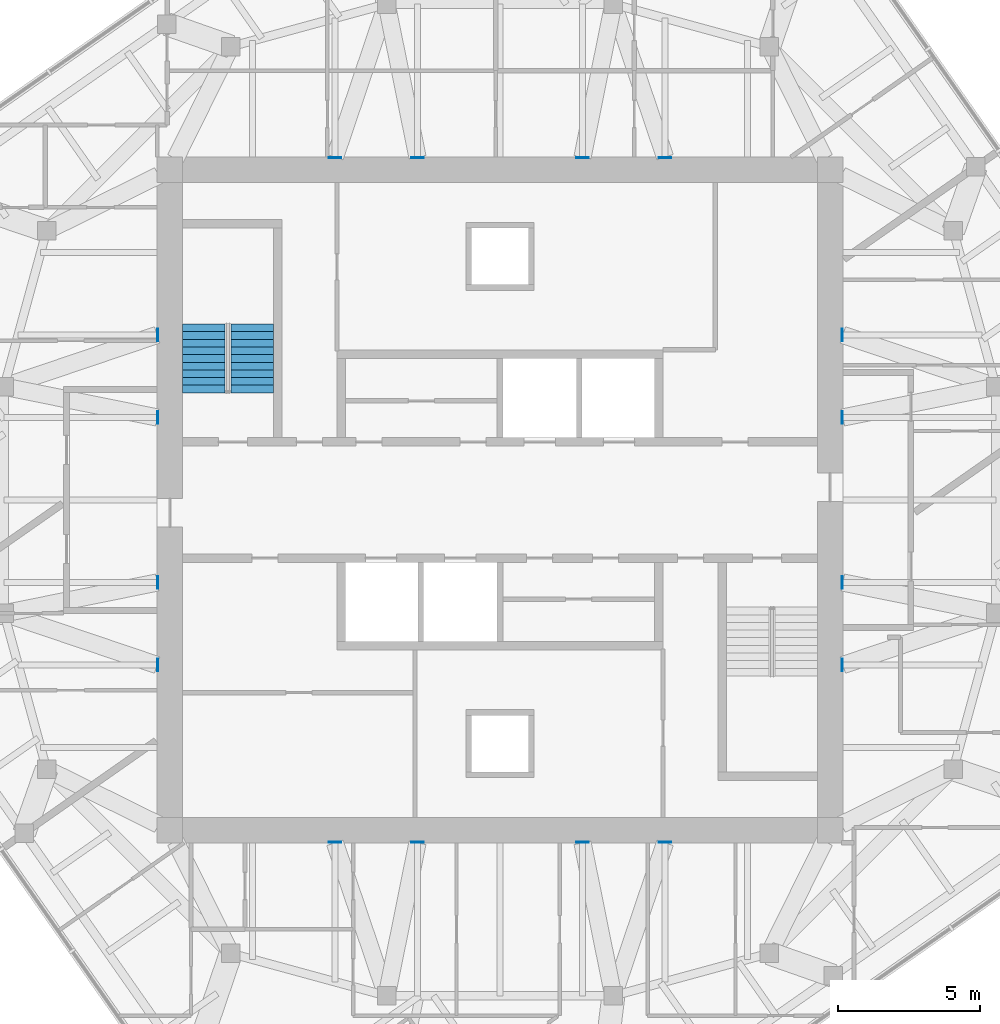
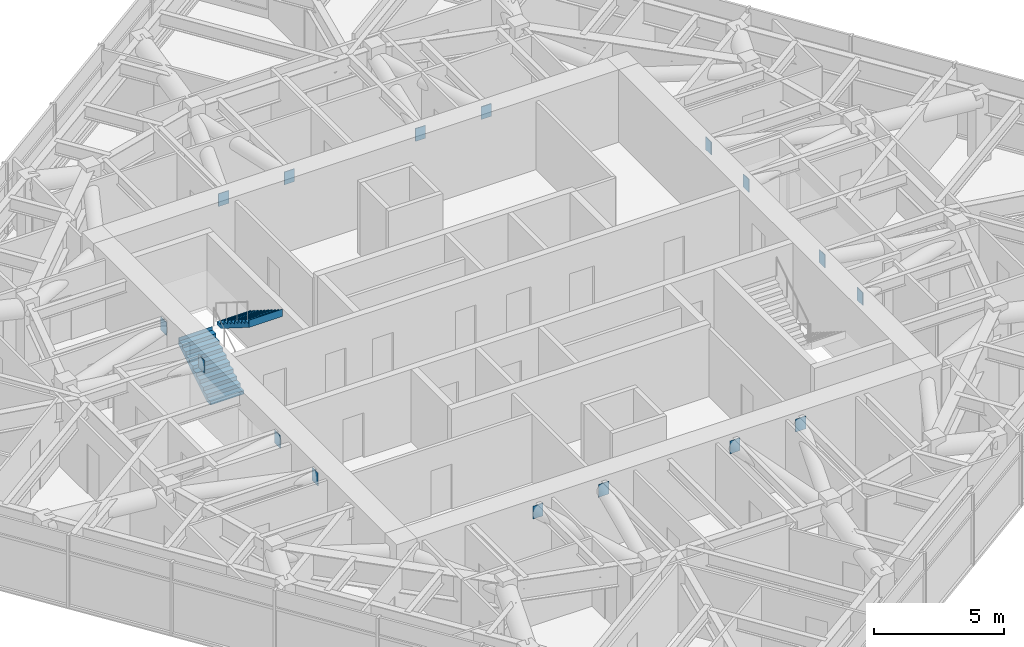
# One storey, part 14 of 15: 16 discrete accessories, 2 stair flights, 1 element without a shape of its own.
"""IFC4 building model written with IfcOpenShell, lengths in metres."""

import ifcopenshell
import ifcopenshell.guid

model = None  # the IFC model being written
_history = None  # IfcOwnerHistory: only IFC2X3 demands one
_inside = {}  # id of a spatial element -> (the spatial element, [elements in it])
_under = {}  # id of a project, library or spatial element -> (it, [spatial elements below it])
_declared = {}  # id of a project -> (the project, [libraries it declares])
_typed = {}  # id of a type object -> (the type object, [elements of that type])
_made_of = {}  # id of a material, layer set ... -> (it, [elements and type objects made of it])


def new_model(schema):
    """Start an empty IFC model of exactly this schema.

    Asked for "IFC4X3", IfcOpenShell would pick the latest addendum, in which some entities
    have other attributes; the version numbers below select the first issue.
    IFC2X3 requires an IfcOwnerHistory on every rooted entity: one is made here for all.
    """
    global model, _history
    if schema == "IFC4X3":
        model = ifcopenshell.file(schema_version=(4, 3, 0, 0))
    else:
        model = ifcopenshell.file(schema=schema)
    _inside.clear()
    _under.clear()
    _declared.clear()
    _typed.clear()
    _made_of.clear()
    _history = None
    if model.schema == "IFC2X3":
        org = make("IfcOrganization", Name="unknown")
        user = make(
            "IfcPersonAndOrganization",
            ThePerson=make("IfcPerson", FamilyName="unknown"),
            TheOrganization=org,
        )
        app = make(
            "IfcApplication",
            ApplicationDeveloper=org,
            Version="unknown",
            ApplicationFullName="unknown",
            ApplicationIdentifier="unknown",
        )
        _history = make(
            "IfcOwnerHistory",
            OwningUser=user,
            OwningApplication=app,
            ChangeAction="ADDED",
            CreationDate=0,
        )
    return model


def make(cls, **values):
    """One entity of the class cls with the attributes given. An attribute that is None is left unset."""
    return model.create_entity(
        cls, **{name: value for name, value in values.items() if value is not None}
    )


def rooted(cls, **values):
    """An entity with a GlobalId (a new one), such as an element, a storey or a relation."""
    return make(cls, GlobalId=ifcopenshell.guid.new(), OwnerHistory=_history, **values)


def si_unit(unit_type, name, prefix=None):
    """IfcSIUnit, for example si_unit("LENGTHUNIT", "METRE", prefix="MILLI")."""
    return make("IfcSIUnit", UnitType=unit_type, Prefix=prefix, Name=name)


def assignment(units):
    """IfcUnitAssignment: the units of a project."""
    return None if units is None else make("IfcUnitAssignment", Units=units)


def point(xyz):
    """IfcCartesianPoint."""
    return None if xyz is None else make("IfcCartesianPoint", Coordinates=xyz)


def direction(xyz):
    """IfcDirection."""
    return None if xyz is None else make("IfcDirection", DirectionRatios=xyz)


def frame(location, z_axis=None, x_axis=None):
    """IfcAxis2Placement3D, a coordinate frame: its origin and axes. An axis left out is left unset."""
    return make(
        "IfcAxis2Placement3D",
        Location=point(location),
        Axis=direction(z_axis),
        RefDirection=direction(x_axis),
    )


def frame_2d(location, x_axis=None):
    """IfcAxis2Placement2D, a coordinate frame in the plane: its origin and x axis."""
    return make(
        "IfcAxis2Placement2D", Location=point(location), RefDirection=direction(x_axis)
    )


def origin():
    """The frame at (0, 0, 0) with its axes left unset."""
    return frame((0.0, 0.0, 0.0))


def origin_2d():
    """The frame at (0, 0) in the plane with its x axis left unset."""
    return frame_2d((0.0, 0.0))


def place(relative_to, where):
    """IfcLocalPlacement: puts the frame where relative to a parent placement (None: the world)."""
    return make(
        "IfcLocalPlacement", PlacementRelTo=relative_to, RelativePlacement=where
    )


def context(
    kind, dimensions, precision=None, world=None, true_north=None, identifier=None
):
    """IfcGeometricRepresentationContext, for example the 3D "Model" context."""
    return make(
        "IfcGeometricRepresentationContext",
        ContextIdentifier=identifier,
        ContextType=kind,
        CoordinateSpaceDimension=dimensions,
        Precision=precision,
        WorldCoordinateSystem=world,
        TrueNorth=true_north,
    )


def subcontext(parent, identifier, kind, view, scale=None):
    """IfcGeometricRepresentationSubContext, for example "Body" below "Model"."""
    return make(
        "IfcGeometricRepresentationSubContext",
        ContextIdentifier=identifier,
        ContextType=kind,
        ParentContext=parent,
        TargetScale=scale,
        TargetView=view,
    )


def project(units=None, contexts=None):
    """IfcProject with its units and contexts."""
    return rooted(
        "IfcProject",
        Name="project",
        RepresentationContexts=contexts,
        UnitsInContext=assignment(units),
    )


def spatial(cls, under=None, at=None, **own):
    """A site, building, storey or space (cls), placed at a placement, below another one or the project."""
    s = rooted(cls, ObjectPlacement=at, **own)
    if under is not None:
        _under.setdefault(under.id(), (under, []))[1].append(s)
    return s


def polyline(points):
    """IfcPolyline through the points."""
    return make("IfcPolyline", Points=[point(p) for p in points])


def profile(cls, at=None, kind="AREA", **sizes):
    """A parametric profile (cls). Its sizes go by their IFC names, for example OverallWidth=200.0."""
    return make(cls, ProfileType=kind, Position=at, **sizes)


def rectangle(**sizes):
    """IfcRectangleProfileDef."""
    return profile("IfcRectangleProfileDef", **sizes)


def outline(outer, holes=None, kind="AREA"):
    """IfcArbitraryClosedProfileDef: a profile drawn as a closed curve; with holes, ...WithVoids."""
    if holes is None:
        return make("IfcArbitraryClosedProfileDef", ProfileType=kind, OuterCurve=outer)
    return make(
        "IfcArbitraryProfileDefWithVoids",
        ProfileType=kind,
        OuterCurve=outer,
        InnerCurves=holes,
    )


def extrude(swept, where, along, depth):
    """IfcExtrudedAreaSolid: the profile swept, set in the frame where, extruded along a direction by depth."""
    return make(
        "IfcExtrudedAreaSolid",
        SweptArea=swept,
        Position=where,
        ExtrudedDirection=direction(along),
        Depth=depth,
    )


def shape(context_of_items, identifier, shape_type, items):
    """IfcShapeRepresentation: the items that make up one representation, for example the "Body"."""
    return make(
        "IfcShapeRepresentation",
        ContextOfItems=context_of_items,
        RepresentationIdentifier=identifier,
        RepresentationType=shape_type,
        Items=items,
    )


def material(Name=None, Category=None):
    """IfcMaterial."""
    return make("IfcMaterial", Name=Name, Category=Category)


def layer(
    of_material, thickness, ventilated=None, Name=None, Category=None, Priority=None
):
    """IfcMaterialLayer: one layer of a wall or slab, of a material (None: an air gap)."""
    return make(
        "IfcMaterialLayer",
        Material=of_material,
        LayerThickness=thickness,
        IsVentilated=ventilated,
        Name=Name,
        Category=Category,
        Priority=Priority,
    )


def layer_set(layers, Name=None):
    """IfcMaterialLayerSet."""
    return make("IfcMaterialLayerSet", MaterialLayers=layers, LayerSetName=Name)


def made_of(thing, what):
    """Note that an element or type object is made of a material, layer set ...; save() writes the relation."""
    if what is not None:
        _made_of.setdefault(what.id(), (what, []))[1].append(thing)
    return thing


def type_object(cls, material=None, **own):
    """A type object (cls), such as IfcWallType, which elements share."""
    return made_of(rooted(cls, **own), material)


def element(
    cls,
    number,
    at=None,
    inside=None,
    cuts=None,
    type_object=None,
    material=None,
    context=None,
    identifier="Body",
    shape_type=None,
    held_by="IfcProductDefinitionShape",
    body=None,
    shapes=None,
    **own,
):
    """One element of the class cls, such as IfcWall. Its Tag is "e" and its number.

    at: its placement. inside: the storey or other place that contains it. cuts: it is an
    opening in that element (IfcRelVoidsElement). A single representation is given by context,
    identifier, shape_type and body (its items); several are given by shapes. held_by: the class
    of the entity that holds the representations. save() writes the other relations.
    """
    e = rooted(cls, Tag="e%d" % number, ObjectPlacement=at, **own)
    if body is not None:
        shapes = [shape(context, identifier, shape_type, body)]
    if shapes is not None:
        e.Representation = make(held_by, Representations=shapes)
    if inside is not None:
        _inside.setdefault(inside.id(), (inside, []))[1].append(e)
    if cuts is not None:
        rooted(
            "IfcRelVoidsElement", RelatingBuildingElement=cuts, RelatedOpeningElement=e
        )
    if type_object is not None:
        _typed.setdefault(type_object.id(), (type_object, []))[1].append(e)
    return made_of(e, material)


def aggregate(whole, parts):
    """IfcRelAggregates: a whole, such as a stair, and the parts it consists of."""
    return rooted("IfcRelAggregates", RelatingObject=whole, RelatedObjects=parts)


def save(model, path):
    """Write the relations noted so far, then the file.

    IfcRelAggregates (storeys below a building ...), IfcRelContainedInSpatialStructure (elements
    in a storey), IfcRelDefinesByType, IfcRelAssociatesMaterial and IfcRelDeclares: one each for
    every whole, place, type object, material and project.
    """
    for whole, parts in _under.values():
        aggregate(whole, parts)
    for where, things in _inside.values():
        rooted(
            "IfcRelContainedInSpatialStructure",
            RelatedElements=things,
            RelatingStructure=where,
        )
    for kind, things in _typed.values():
        rooted("IfcRelDefinesByType", RelatedObjects=things, RelatingType=kind)
    for what, things in _made_of.values():
        rooted("IfcRelAssociatesMaterial", RelatedObjects=things, RelatingMaterial=what)
    for by, libraries in _declared.values():
        rooted("IfcRelDeclares", RelatingContext=by, RelatedDefinitions=libraries)
    model.write(path)


model = new_model("IFC4")

# Units and contexts
model_context = context("Model", 3, precision=1e-05, world=origin(), true_north=direction((0.0, 1.0)))
body_context = subcontext(model_context, "Body", "Model", "MODEL_VIEW")
ifc_project = project(units=[si_unit("LENGTHUNIT", "METRE"), si_unit("AREAUNIT", "SQUARE_METRE"), si_unit("VOLUMEUNIT", "CUBIC_METRE"), si_unit("PLANEANGLEUNIT", "RADIAN"), si_unit("MASSUNIT", "GRAM", prefix="KILO")], contexts=[model_context])

# Site, building, storey
site_placement = place(None, origin())
site = spatial("IfcSite", under=ifc_project, at=site_placement, CompositionType="ELEMENT")
building_placement = place(site_placement, origin())
building = spatial("IfcBuilding", under=site, at=building_placement, Name="Torsade Residences", CompositionType="ELEMENT")
storey_placement = place(building_placement, frame((0.0, 0.0, 264.199951171875)))
storey = spatial("IfcBuildingStorey", under=building, at=storey_placement, Name="L73", CompositionType="ELEMENT", Elevation=264.199951171875)

# Stair, stair flights
ifc_material_1 = material(Name="Precast concrete 40 MPa", Category="concrete")
stair_type = type_object("IfcStairType", Name="HALF-TURN FIRE STAIR 1500x3400", PredefinedType="HALF_TURN_STAIR", material=ifc_material_1)
stair_placement = place(storey_placement, origin())
stair = element("IfcStair", 1, at=stair_placement, inside=storey, type_object=stair_type, Name="Stair ST1 L73", PredefinedType="HALF_TURN_STAIR")
ifc_material_2 = material(Name="Precast concrete 40 MPa", Category="concrete")
stair_flight_type = type_object("IfcStairFlightType", Name="PRECAST STAIR FLIGHT 1500x1700", PredefinedType="STRAIGHT", material=ifc_material_2)
stair_flight_1_placement = place(storey_placement, frame((29.550048828125, 33.780029296875, 0.0), z_axis=(0.0, 0.0, 1.0), x_axis=(0.0, 1.0, 0.0)))
stair_flight_1 = element("IfcStairFlight", 2, at=stair_flight_1_placement, type_object=stair_flight_type, Name="ST1 flight 1", NumberOfRisers=10, NumberOfTreads=9, PredefinedType="STRAIGHT", RiserHeight=0.17, TreadLength=0.27, context=body_context, shape_type="SweptSolid", body=[
    extrude(outline(polyline([(0.0, 0.0), (0.0, 0.169921875), (0.27001953125, 0.169921875), (0.27001953125, 0.340087890625), (0.5400390625, 0.340087890625), (0.5400390625, 0.510009765625), (0.81005859375, 0.510009765625), (0.81005859375, 0.679931640625), (1.080078125, 0.679931640625), (1.080078125, 0.85009765625), (1.35009765625, 0.85009765625), (1.35009765625, 1.02001953125), (1.6201171875, 1.02001953125), (1.6201171875, 1.18994140625), (1.889892578125, 1.18994140625), (1.889892578125, 1.360107421875), (2.159912109375, 1.360107421875), (2.159912109375, 1.530029296875), (2.429931640625, 1.530029296875), (2.429931640625, 1.699951171875), (2.43994140625, 1.699951171875), (2.43994140625, 1.352783203125), (2.429931640625, 1.352783203125), (0.28125, 0.0), (0.0, 0.0)])), frame((0.0, 0.75, 0.0), z_axis=(0.0, -1.0, 0.0), x_axis=(1.0, 0.0, 0.0)), (0.0, 0.0, 1.0), 1.5),
])
stair_flight_2_placement = place(storey_placement, frame((31.25, 36.2099609375, 1.699951171875), z_axis=(0.0, 0.0, 1.0), x_axis=(0.0, -1.0, 0.0)))
stair_flight_2 = element("IfcStairFlight", 3, at=stair_flight_2_placement, type_object=stair_flight_type, Name="ST1 flight 2", NumberOfRisers=10, NumberOfTreads=9, PredefinedType="STRAIGHT", RiserHeight=0.17, TreadLength=0.27, context=body_context, shape_type="SweptSolid", body=[
    extrude(outline(polyline([(0.0, 0.0), (0.0, 0.169921875), (0.27001953125, 0.169921875), (0.27001953125, 0.340087890625), (0.5400390625, 0.340087890625), (0.5400390625, 0.510009765625), (0.81005859375, 0.510009765625), (0.81005859375, 0.679931640625), (1.080078125, 0.679931640625), (1.080078125, 0.85009765625), (1.35009765625, 0.85009765625), (1.35009765625, 1.02001953125), (1.6201171875, 1.02001953125), (1.6201171875, 1.18994140625), (1.889892578125, 1.18994140625), (1.889892578125, 1.360107421875), (2.159912109375, 1.360107421875), (2.159912109375, 1.530029296875), (2.429931640625, 1.530029296875), (2.429931640625, 1.699951171875), (2.43994140625, 1.699951171875), (2.43994140625, 1.352783203125), (2.429931640625, 1.352783203125), (0.28125, 0.0), (0.0, 0.0)])), frame((0.0, 0.75, 0.0), z_axis=(0.0, -1.0, 0.0), x_axis=(1.0, 0.0, 0.0)), (0.0, 0.0, 1.0), 1.5),
])
aggregate(stair, [stair_flight_1, stair_flight_2])

# Discrete accessories
ifc_material_3 = material(Name="Steel grade 350", Category="steel")
ifc_layer = layer(ifc_material_3, 0.031982421875)
ifc_layer_set = layer_set([ifc_layer], Name="Steel grade 350")
discrete_accessory_type = type_object("IfcDiscreteAccessoryType", Name="CAST-IN PLATE 450x600x32", PredefinedType="ANCHORPLATE", material=ifc_layer_set)
for number, where, z_axis, x_axis, name in (
    (4, (52.083984375, 27.08740234375, 2.486083984375), (0.0, 0.0, 1.0), (1.0, 0.0, 0.0), "Cast-in plate PB1 PB-L74-IR01IE03"),
    (5, (52.083984375, 24.175048828125, 2.486083984375), (0.0, 0.0, 1.0), (1.0, 0.0, 0.0), "Cast-in plate PB1 PB-L74-IR01IE02"),
    (6, (52.083984375, 32.91259765625, 2.486083984375), (0.0, 0.0, 1.0), (1.0, 0.0, 0.0), "Cast-in plate PB1 PB-L74-IR02IE05"),
    (7, (52.083984375, 35.824951171875, 2.486083984375), (0.0, 0.0, 1.0), (1.0, 0.0, 0.0), "Cast-in plate PB1 PB-L74-IR02IE06"),
):
    element("IfcDiscreteAccessory", number, at=place(storey_placement, frame(where, z_axis=z_axis, x_axis=x_axis)), inside=storey, type_object=discrete_accessory_type, Name=name, PredefinedType="ANCHORPLATE", context=body_context, shape_type="SweptSolid", body=[
        extrude(rectangle(XDim=0.031982421875, YDim=0.449951171875, at=origin_2d()), origin(), (0.0, 0.0, 1.0), 0.60009765625),
    ])
for number, where, z_axis, x_axis, name in (
    (8, (42.91259765625, 42.083984375, 2.486083984375), (0.0, 0.0, 1.0), (1.0, 0.0, 0.0), "Cast-in plate PB1 PB-L74-IR05IN05"),
    (9, (45.824951171875, 42.083984375, 2.486083984375), (0.0, 0.0, 1.0), (1.0, 0.0, 0.0), "Cast-in plate PB1 PB-L74-IR05IN06"),
    (10, (37.08740234375, 42.083984375, 2.486083984375), (0.0, 0.0, 1.0), (1.0, 0.0, 0.0), "Cast-in plate PB1 PB-L74-IR06IN03"),
    (11, (34.175048828125, 42.083984375, 2.486083984375), (0.0, 0.0, 1.0), (1.0, 0.0, 0.0), "Cast-in plate PB1 PB-L74-IR06IN02"),
):
    element("IfcDiscreteAccessory", number, at=place(storey_placement, frame(where, z_axis=z_axis, x_axis=x_axis)), inside=storey, type_object=discrete_accessory_type, Name=name, PredefinedType="ANCHORPLATE", context=body_context, shape_type="SweptSolid", body=[
        extrude(rectangle(XDim=0.449951171875, YDim=0.031982421875, at=origin_2d()), origin(), (0.0, 0.0, 1.0), 0.60009765625),
    ])
for number, where, z_axis, x_axis, name in (
    (12, (27.916015625, 32.91259765625, 2.486083984375), (0.0, 0.0, 1.0), (1.0, 0.0, 0.0), "Cast-in plate PB1 PB-L74-IR09IW03"),
    (13, (27.916015625, 35.824951171875, 2.486083984375), (0.0, 0.0, 1.0), (1.0, 0.0, 0.0), "Cast-in plate PB1 PB-L74-IR09IW02"),
    (14, (27.916015625, 27.08740234375, 2.486083984375), (0.0, 0.0, 1.0), (1.0, 0.0, 0.0), "Cast-in plate PB1 PB-L74-IR10IW05"),
    (15, (27.916015625, 24.175048828125, 2.486083984375), (0.0, 0.0, 1.0), (1.0, 0.0, 0.0), "Cast-in plate PB1 PB-L74-IR10IW06"),
):
    element("IfcDiscreteAccessory", number, at=place(storey_placement, frame(where, z_axis=z_axis, x_axis=x_axis)), inside=storey, type_object=discrete_accessory_type, Name=name, PredefinedType="ANCHORPLATE", context=body_context, shape_type="SweptSolid", body=[
        extrude(rectangle(XDim=0.031982421875, YDim=0.449951171875, at=origin_2d()), origin(), (0.0, 0.0, 1.0), 0.60009765625),
    ])
for number, where, z_axis, x_axis, name in (
    (16, (37.08740234375, 17.916015625, 2.486083984375), (0.0, 0.0, 1.0), (1.0, 0.0, 0.0), "Cast-in plate PB1 PB-L74-IR13IS05"),
    (17, (34.175048828125, 17.916015625, 2.486083984375), (0.0, 0.0, 1.0), (1.0, 0.0, 0.0), "Cast-in plate PB1 PB-L74-IR13IS06"),
    (18, (42.91259765625, 17.916015625, 2.486083984375), (0.0, 0.0, 1.0), (1.0, 0.0, 0.0), "Cast-in plate PB1 PB-L74-IR14IS03"),
    (19, (45.824951171875, 17.916015625, 2.486083984375), (0.0, 0.0, 1.0), (1.0, 0.0, 0.0), "Cast-in plate PB1 PB-L74-IR14IS02"),
):
    element("IfcDiscreteAccessory", number, at=place(storey_placement, frame(where, z_axis=z_axis, x_axis=x_axis)), inside=storey, type_object=discrete_accessory_type, Name=name, PredefinedType="ANCHORPLATE", context=body_context, shape_type="SweptSolid", body=[
        extrude(rectangle(XDim=0.449951171875, YDim=0.031982421875, at=origin_2d()), origin(), (0.0, 0.0, 1.0), 0.60009765625),
    ])

save(model, "model.ifc")
